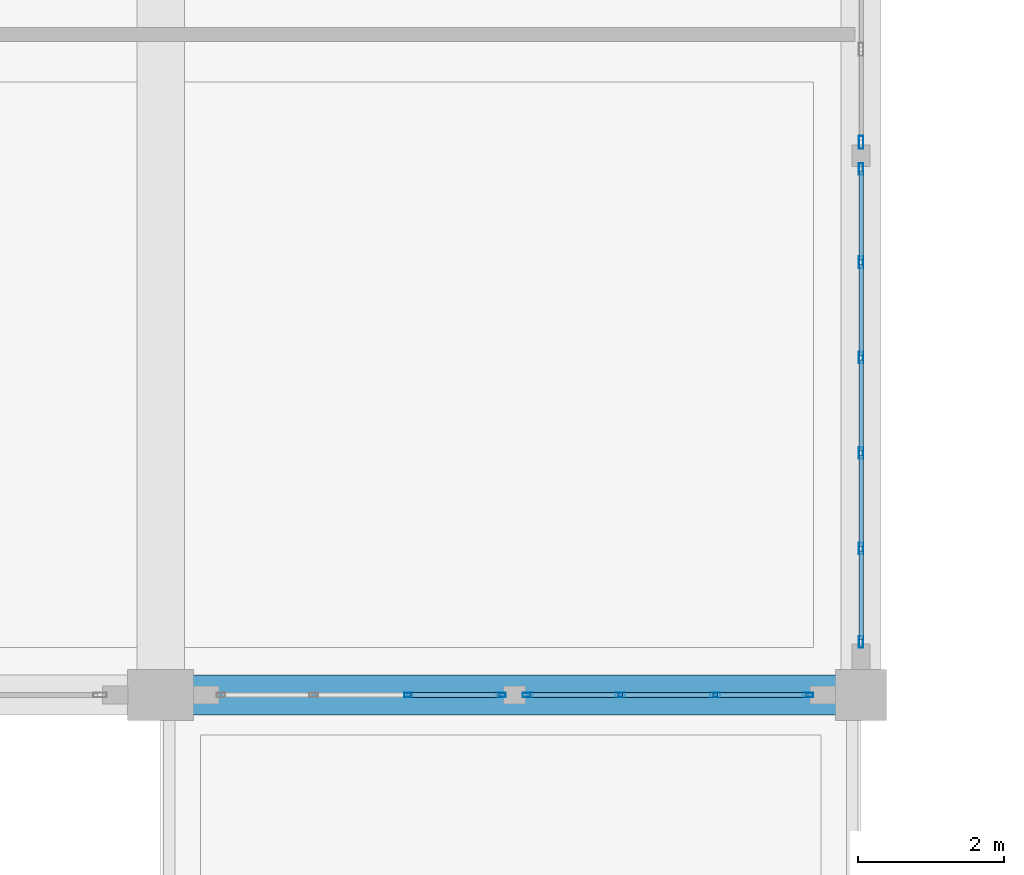
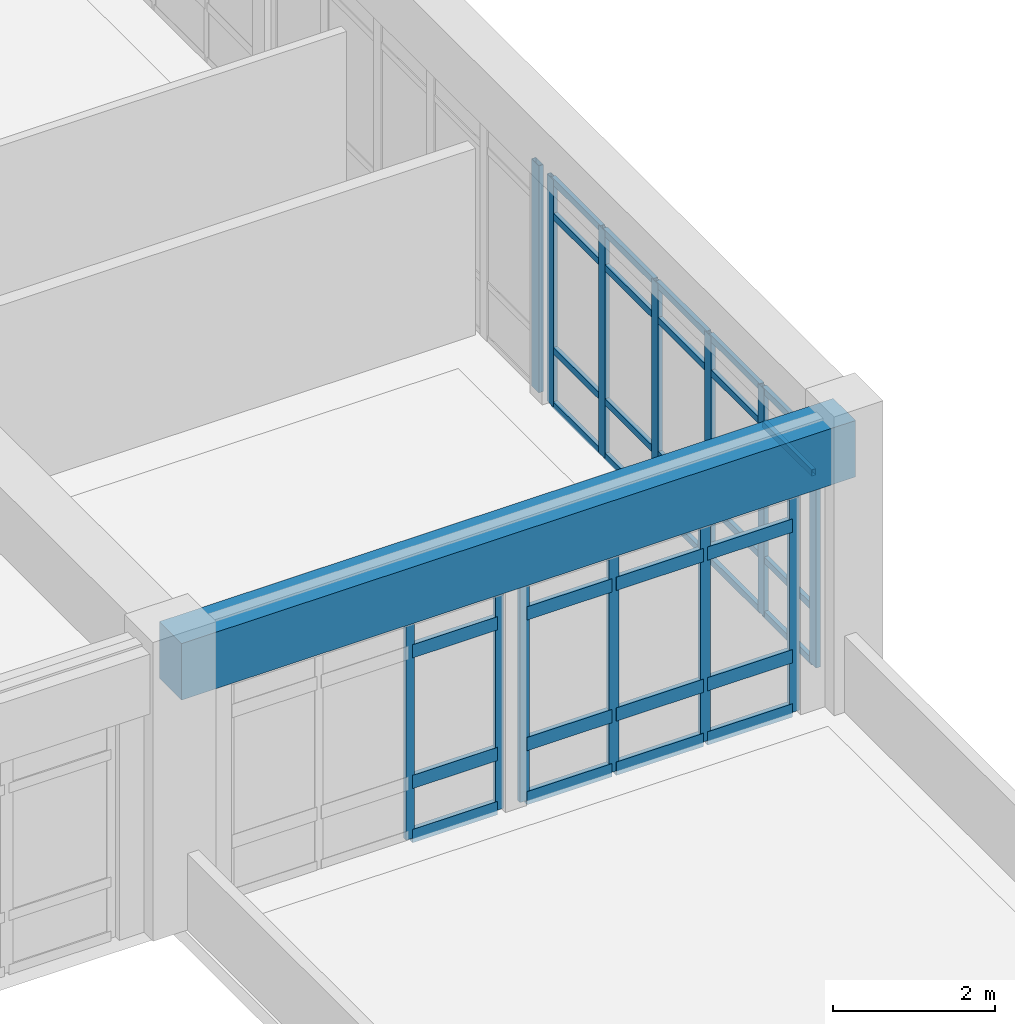
# One storey, part 64 of 109: 49 members, 1 beam, 4 elements without a shape of their own.
"""IFC4 building model written with IfcOpenShell, lengths in metres."""

from ifc_helpers import new_model, si_unit, direction, frame, origin, origin_2d, place, context, subcontext, project, spatial, rectangle, hollow_rectangle, extrude, material, layer, layer_set, material_profile, profile_set, type_object, element, aggregate, save


model = new_model("IFC4")

# Units and contexts
model_context = context("Model", 3, precision=1e-05, world=origin(), true_north=direction((0.0, 1.0)))
body_context = subcontext(model_context, "Body", "Model", "MODEL_VIEW")
ifc_project = project(units=[si_unit("LENGTHUNIT", "METRE"), si_unit("AREAUNIT", "SQUARE_METRE"), si_unit("VOLUMEUNIT", "CUBIC_METRE"), si_unit("PLANEANGLEUNIT", "RADIAN"), si_unit("MASSUNIT", "GRAM", prefix="KILO")], contexts=[model_context])

# Site, building, storey
site_placement = place(None, origin())
site = spatial("IfcSite", under=ifc_project, at=site_placement, CompositionType="ELEMENT")
building_placement = place(site_placement, origin())
building = spatial("IfcBuilding", under=site, at=building_placement, Name="Fikremerkos Civic Library", CompositionType="ELEMENT")
storey_placement = place(building_placement, frame((0.0, 0.0, 5.39990234375)))
storey = spatial("IfcBuildingStorey", under=building, at=storey_placement, Name="L01", CompositionType="ELEMENT", Elevation=5.39990234375)

# Curtain wall, member
ifc_material_1 = material(Name="Anodized aluminium Frame", Category="aluminium")
ifc_layer_1 = layer(ifc_material_1, 0.159912109375, Name="Anodized aluminium Frame")
ifc_layer_set_1 = layer_set([ifc_layer_1], Name="Anodized aluminium Frame")
curtain_wall_type_1 = type_object("IfcCurtainWallType", Name="Unitised curtain wall CW-05 3800x4100", PredefinedType="USERDEFINED", material=ifc_layer_set_1)
curtain_wall_1_placement = place(storey_placement, origin())
curtain_wall_1 = element("IfcCurtainWall", 1, at=curtain_wall_1_placement, inside=storey, type_object=curtain_wall_type_1, Name="Unitised curtain wall CW-05 L01 #113", ObjectType="UNITISED CURTAIN WALL", PredefinedType="USERDEFINED")
ifc_material_profile_1 = material_profile(ifc_material_1, hollow_rectangle(XDim=0.06494140625, YDim=0.179931640625, WallThickness=0.00439453125, at=origin_2d()), Name="ALU 180x65x4.5")
ifc_profile_set_1 = profile_set([ifc_material_profile_1], Name="Anodized aluminium Frame")
member_type_1 = type_object("IfcMemberType", Name="Curtain mullion CWM-01 ALU 180x65x4.5", PredefinedType="MULLION", material=ifc_profile_set_1)
member_1_placement = place(storey_placement, frame((134.39990234375, 103.573486328125, 0.0), z_axis=(0.0, 0.0, 1.0), x_axis=(1.0, 0.0, 0.0)))
member_1 = element("IfcMember", 2, at=member_1_placement, type_object=member_type_1, Name="CW-05 mullion 6", PredefinedType="MULLION", context=body_context, shape_type="SweptSolid", body=[
    extrude(hollow_rectangle(XDim=0.06494140625, YDim=0.179931640625, WallThickness=0.00439453125, at=origin_2d()), origin(), (0.0, 0.0, 1.0), 3.420166015625),
])
aggregate(curtain_wall_1, [member_1])

# Curtain wall, members
ifc_layer_2 = layer(ifc_material_1, 0.159912109375, Name="Anodized aluminium Frame")
ifc_layer_set_2 = layer_set([ifc_layer_2], Name="Anodized aluminium Frame")
curtain_wall_type_2 = type_object("IfcCurtainWallType", Name="Unitised curtain wall CW-06 4200x4100", PredefinedType="USERDEFINED", material=ifc_layer_set_2)
curtain_wall_2_placement = place(storey_placement, origin())
curtain_wall_2 = element("IfcCurtainWall", 3, at=curtain_wall_2_placement, inside=storey, type_object=curtain_wall_type_2, Name="Unitised curtain wall CW-06 L01 #114", ObjectType="UNITISED CURTAIN WALL", PredefinedType="USERDEFINED")
ifc_material_profile_2 = material_profile(ifc_material_1, hollow_rectangle(XDim=0.06005859375, YDim=0.159912109375, WallThickness=0.00390625, at=origin_2d()), Name="ALU 160x60x4")
ifc_profile_set_2 = profile_set([ifc_material_profile_2], Name="Anodized aluminium Frame")
member_type_2 = type_object("IfcMemberType", Name="Curtain mullion CWM-02 ALU 160x60x4", PredefinedType="MULLION", material=ifc_profile_set_2)
member_2_placement = place(storey_placement, frame((134.39990234375, 103.2109375, 0.0), z_axis=(0.0, 0.0, 1.0), x_axis=(1.0, 0.0, 0.0)))
member_2 = element("IfcMember", 4, at=member_2_placement, type_object=member_type_2, Name="CW-06 mullion 1", PredefinedType="MULLION", context=body_context, shape_type="SweptSolid", body=[
    extrude(hollow_rectangle(XDim=0.06005859375, YDim=0.159912109375, WallThickness=0.00390625, at=origin_2d()), origin(), (0.0, 0.0, 1.0), 3.420166015625),
])
member_3_placement = place(storey_placement, frame((134.39990234375, 101.932373046875, 0.0), z_axis=(0.0, 0.0, 1.0), x_axis=(1.0, 0.0, 0.0)))
member_3 = element("IfcMember", 5, at=member_3_placement, type_object=member_type_2, Name="CW-06 mullion 2", PredefinedType="MULLION", context=body_context, shape_type="SweptSolid", body=[
    extrude(hollow_rectangle(XDim=0.06005859375, YDim=0.159912109375, WallThickness=0.00390625, at=origin_2d()), origin(), (0.0, 0.0, 1.0), 3.420166015625),
])
member_4_placement = place(storey_placement, frame((134.39990234375, 100.623779296875, 0.0), z_axis=(0.0, 0.0, 1.0), x_axis=(1.0, 0.0, 0.0)))
member_4 = element("IfcMember", 6, at=member_4_placement, type_object=member_type_2, Name="CW-06 mullion 3", PredefinedType="MULLION", context=body_context, shape_type="SweptSolid", body=[
    extrude(hollow_rectangle(XDim=0.06005859375, YDim=0.159912109375, WallThickness=0.00390625, at=origin_2d()), origin(), (0.0, 0.0, 1.0), 3.420166015625),
])
member_5_placement = place(storey_placement, frame((134.39990234375, 99.315185546875, 0.0), z_axis=(0.0, 0.0, 1.0), x_axis=(1.0, 0.0, 0.0)))
member_5 = element("IfcMember", 7, at=member_5_placement, type_object=member_type_2, Name="CW-06 mullion 4", PredefinedType="MULLION", context=body_context, shape_type="SweptSolid", body=[
    extrude(hollow_rectangle(XDim=0.06005859375, YDim=0.159912109375, WallThickness=0.00390625, at=origin_2d()), origin(), (0.0, 0.0, 1.0), 3.420166015625),
])
member_6_placement = place(storey_placement, frame((134.39990234375, 98.006591796875, 0.0), z_axis=(0.0, 0.0, 1.0), x_axis=(1.0, 0.0, 0.0)))
member_6 = element("IfcMember", 8, at=member_6_placement, type_object=member_type_2, Name="CW-06 mullion 5", PredefinedType="MULLION", context=body_context, shape_type="SweptSolid", body=[
    extrude(hollow_rectangle(XDim=0.06005859375, YDim=0.159912109375, WallThickness=0.00390625, at=origin_2d()), origin(), (0.0, 0.0, 1.0), 3.420166015625),
])
member_7_placement = place(storey_placement, frame((134.39990234375, 96.72802734375, 0.0), z_axis=(0.0, 0.0, 1.0), x_axis=(1.0, 0.0, 0.0)))
member_7 = element("IfcMember", 9, at=member_7_placement, type_object=member_type_2, Name="CW-06 mullion 6", PredefinedType="MULLION", context=body_context, shape_type="SweptSolid", body=[
    extrude(hollow_rectangle(XDim=0.06005859375, YDim=0.159912109375, WallThickness=0.00390625, at=origin_2d()), origin(), (0.0, 0.0, 1.0), 3.420166015625),
])

ifc_layer_3 = layer(ifc_material_1, 0.159912109375, Name="Anodized aluminium Frame")
ifc_layer_set_3 = layer_set([ifc_layer_3], Name="Anodized aluminium Frame")
curtain_wall_type_3 = type_object("IfcCurtainWallType", Name="Unitised curtain wall CW-07 3500x4100", PredefinedType="USERDEFINED", material=ifc_layer_set_3)
curtain_wall_3_placement = place(storey_placement, origin())
curtain_wall_3 = element("IfcCurtainWall", 10, at=curtain_wall_3_placement, inside=storey, type_object=curtain_wall_type_3, Name="Unitised curtain wall CW-07 L01 #115", ObjectType="UNITISED CURTAIN WALL", PredefinedType="USERDEFINED")
ifc_material_profile_3 = material_profile(ifc_material_1, hollow_rectangle(XDim=0.06005859375, YDim=0.139892578125, WallThickness=0.00390625, at=origin_2d()), Name="ALU 140x60x4")
ifc_profile_set_3 = profile_set([ifc_material_profile_3], Name="Anodized aluminium Frame")
member_type_3 = type_object("IfcMemberType", Name="Curtain mullion CWM-03 ALU 140x60x4", PredefinedType="MULLION", material=ifc_profile_set_3)
member_8_placement = place(storey_placement, frame((133.672119140625, 96.0, 0.0), z_axis=(0.0, 0.0, 1.0), x_axis=(0.0, -1.0, 0.0)))
member_8 = element("IfcMember", 11, at=member_8_placement, type_object=member_type_3, Name="CW-07 mullion 1", PredefinedType="MULLION", context=body_context, shape_type="SweptSolid", body=[
    extrude(hollow_rectangle(XDim=0.06005859375, YDim=0.139892578125, WallThickness=0.00390625, at=origin_2d()), origin(), (0.0, 0.0, 1.0), 3.3671875),
])
member_9_placement = place(storey_placement, frame((132.4013671875, 96.0, 0.0), z_axis=(0.0, 0.0, 1.0), x_axis=(0.0, -1.0, 0.0)))
member_9 = element("IfcMember", 12, at=member_9_placement, type_object=member_type_3, Name="CW-07 mullion 2", PredefinedType="MULLION", context=body_context, shape_type="SweptSolid", body=[
    extrude(hollow_rectangle(XDim=0.06005859375, YDim=0.139892578125, WallThickness=0.00390625, at=origin_2d()), origin(), (0.0, 0.0, 1.0), 3.3671875),
])
member_10_placement = place(storey_placement, frame((131.1005859375, 96.0, 0.0), z_axis=(0.0, 0.0, 1.0), x_axis=(0.0, -1.0, 0.0)))
member_10 = element("IfcMember", 13, at=member_10_placement, type_object=member_type_3, Name="CW-07 mullion 3", PredefinedType="MULLION", context=body_context, shape_type="SweptSolid", body=[
    extrude(hollow_rectangle(XDim=0.06005859375, YDim=0.139892578125, WallThickness=0.00390625, at=origin_2d()), origin(), (0.0, 0.0, 1.0), 3.3671875),
])
member_11_placement = place(storey_placement, frame((129.830078125, 96.0, 0.0), z_axis=(0.0, 0.0, 1.0), x_axis=(0.0, -1.0, 0.0)))
member_11 = element("IfcMember", 14, at=member_11_placement, type_object=member_type_3, Name="CW-07 mullion 4", PredefinedType="MULLION", context=body_context, shape_type="SweptSolid", body=[
    extrude(hollow_rectangle(XDim=0.06005859375, YDim=0.139892578125, WallThickness=0.00390625, at=origin_2d()), origin(), (0.0, 0.0, 1.0), 3.3671875),
])

ifc_layer_4 = layer(ifc_material_1, 0.159912109375, Name="Anodized aluminium Frame")
ifc_layer_set_4 = layer_set([ifc_layer_4], Name="Anodized aluminium Frame")
curtain_wall_type_4 = type_object("IfcCurtainWallType", Name="Unitised curtain wall CW-08 4500x4100", PredefinedType="USERDEFINED", material=ifc_layer_set_4)
curtain_wall_4_placement = place(storey_placement, origin())
curtain_wall_4 = element("IfcCurtainWall", 15, at=curtain_wall_4_placement, inside=storey, type_object=curtain_wall_type_4, Name="Unitised curtain wall CW-08 L01 #116", ObjectType="UNITISED CURTAIN WALL", PredefinedType="USERDEFINED")
ifc_material_profile_4 = material_profile(ifc_material_1, hollow_rectangle(XDim=0.06005859375, YDim=0.1201171875, WallThickness=0.00390625, at=origin_2d()), Name="ALU 120x60x4")
ifc_profile_set_4 = profile_set([ifc_material_profile_4], Name="Anodized aluminium Frame")
member_type_4 = type_object("IfcMemberType", Name="Curtain mullion CWM-04 ALU 120x60x4", PredefinedType="MULLION", material=ifc_profile_set_4)
member_12_placement = place(storey_placement, frame((129.469970703125, 96.0, 0.0), z_axis=(0.0, 0.0, 1.0), x_axis=(0.0, -1.0, 0.0)))
member_12 = element("IfcMember", 16, at=member_12_placement, type_object=member_type_4, Name="CW-08 mullion 1", PredefinedType="MULLION", context=body_context, shape_type="SweptSolid", body=[
    extrude(hollow_rectangle(XDim=0.06005859375, YDim=0.1201171875, WallThickness=0.00390625, at=origin_2d()), origin(), (0.0, 0.0, 1.0), 3.3671875),
])
member_13_placement = place(storey_placement, frame((128.19921875, 96.0, 0.0), z_axis=(0.0, 0.0, 1.0), x_axis=(0.0, -1.0, 0.0)))
member_13 = element("IfcMember", 17, at=member_13_placement, type_object=member_type_4, Name="CW-08 mullion 2", PredefinedType="MULLION", context=body_context, shape_type="SweptSolid", body=[
    extrude(hollow_rectangle(XDim=0.06005859375, YDim=0.1201171875, WallThickness=0.00390625, at=origin_2d()), origin(), (0.0, 0.0, 1.0), 3.3671875),
])

# Member
ifc_material_profile_5 = material_profile(ifc_material_1, hollow_rectangle(XDim=0.06005859375, YDim=0.10009765625, WallThickness=0.00390625, at=origin_2d()), Name="ALU 100x60x4")
ifc_profile_set_5 = profile_set([ifc_material_profile_5], Name="Anodized aluminium Frame")
member_type_5 = type_object("IfcMemberType", Name="Curtain transom CWT-03 ALU 100x60x4", PredefinedType="USERDEFINED", material=ifc_profile_set_5)
member_14_placement = place(storey_placement, frame((134.39990234375, 103.180908203125, 0.030029296875), z_axis=(0.0, -1.0, 0.0), x_axis=(1.0, 0.0, 0.0)))
member_14 = element("IfcMember", 18, at=member_14_placement, type_object=member_type_5, Name="CW-06 transom 1.1", ObjectType="TRANSOM", PredefinedType="USERDEFINED", context=body_context, shape_type="SweptSolid", body=[
    extrude(hollow_rectangle(XDim=0.06005859375, YDim=0.10009765625, WallThickness=0.00390625, at=origin_2d()), origin(), (0.0, 0.0, 1.0), 1.218505859375),
])

member_15_placement = place(storey_placement, frame((134.39990234375, 103.180908203125, 0.85009765625), z_axis=(0.0, -1.0, 0.0), x_axis=(1.0, 0.0, 0.0)))
member_15 = element("IfcMember", 19, at=member_15_placement, type_object=member_type_5, Name="CW-06 transom 1.2", ObjectType="TRANSOM", PredefinedType="USERDEFINED", context=body_context, shape_type="SweptSolid", body=[
    extrude(hollow_rectangle(XDim=0.06005859375, YDim=0.10009765625, WallThickness=0.00390625, at=origin_2d()), origin(), (0.0, 0.0, 1.0), 1.218505859375),
])

member_16_placement = place(storey_placement, frame((134.39990234375, 103.180908203125, 2.8701171875), z_axis=(0.0, -1.0, 0.0), x_axis=(1.0, 0.0, 0.0)))
member_16 = element("IfcMember", 20, at=member_16_placement, type_object=member_type_5, Name="CW-06 transom 1.3", ObjectType="TRANSOM", PredefinedType="USERDEFINED", context=body_context, shape_type="SweptSolid", body=[
    extrude(hollow_rectangle(XDim=0.06005859375, YDim=0.10009765625, WallThickness=0.00390625, at=origin_2d()), origin(), (0.0, 0.0, 1.0), 1.218505859375),
])

member_17_placement = place(storey_placement, frame((134.39990234375, 103.180908203125, 3.39013671875), z_axis=(0.0, -1.0, 0.0), x_axis=(1.0, 0.0, 0.0)))
member_17 = element("IfcMember", 21, at=member_17_placement, type_object=member_type_5, Name="CW-06 transom 1.4", ObjectType="TRANSOM", PredefinedType="USERDEFINED", context=body_context, shape_type="SweptSolid", body=[
    extrude(hollow_rectangle(XDim=0.06005859375, YDim=0.10009765625, WallThickness=0.00390625, at=origin_2d()), origin(), (0.0, 0.0, 1.0), 1.218505859375),
])

member_18_placement = place(storey_placement, frame((134.39990234375, 101.90234375, 0.030029296875), z_axis=(0.0, -1.0, 0.0), x_axis=(1.0, 0.0, 0.0)))
member_18 = element("IfcMember", 22, at=member_18_placement, type_object=member_type_5, Name="CW-06 transom 2.1", ObjectType="TRANSOM", PredefinedType="USERDEFINED", context=body_context, shape_type="SweptSolid", body=[
    extrude(hollow_rectangle(XDim=0.06005859375, YDim=0.10009765625, WallThickness=0.00390625, at=origin_2d()), origin(), (0.0, 0.0, 1.0), 1.24853515625),
])

member_19_placement = place(storey_placement, frame((134.39990234375, 101.90234375, 0.85009765625), z_axis=(0.0, -1.0, 0.0), x_axis=(1.0, 0.0, 0.0)))
member_19 = element("IfcMember", 23, at=member_19_placement, type_object=member_type_5, Name="CW-06 transom 2.2", ObjectType="TRANSOM", PredefinedType="USERDEFINED", context=body_context, shape_type="SweptSolid", body=[
    extrude(hollow_rectangle(XDim=0.06005859375, YDim=0.10009765625, WallThickness=0.00390625, at=origin_2d()), origin(), (0.0, 0.0, 1.0), 1.24853515625),
])

member_20_placement = place(storey_placement, frame((134.39990234375, 101.90234375, 2.8701171875), z_axis=(0.0, -1.0, 0.0), x_axis=(1.0, 0.0, 0.0)))
member_20 = element("IfcMember", 24, at=member_20_placement, type_object=member_type_5, Name="CW-06 transom 2.3", ObjectType="TRANSOM", PredefinedType="USERDEFINED", context=body_context, shape_type="SweptSolid", body=[
    extrude(hollow_rectangle(XDim=0.06005859375, YDim=0.10009765625, WallThickness=0.00390625, at=origin_2d()), origin(), (0.0, 0.0, 1.0), 1.24853515625),
])

member_21_placement = place(storey_placement, frame((134.39990234375, 101.90234375, 3.39013671875), z_axis=(0.0, -1.0, 0.0), x_axis=(1.0, 0.0, 0.0)))
member_21 = element("IfcMember", 25, at=member_21_placement, type_object=member_type_5, Name="CW-06 transom 2.4", ObjectType="TRANSOM", PredefinedType="USERDEFINED", context=body_context, shape_type="SweptSolid", body=[
    extrude(hollow_rectangle(XDim=0.06005859375, YDim=0.10009765625, WallThickness=0.00390625, at=origin_2d()), origin(), (0.0, 0.0, 1.0), 1.24853515625),
])

member_22_placement = place(storey_placement, frame((134.39990234375, 100.59375, 0.030029296875), z_axis=(0.0, -1.0, 0.0), x_axis=(1.0, 0.0, 0.0)))
member_22 = element("IfcMember", 26, at=member_22_placement, type_object=member_type_5, Name="CW-06 transom 3.1", ObjectType="TRANSOM", PredefinedType="USERDEFINED", context=body_context, shape_type="SweptSolid", body=[
    extrude(hollow_rectangle(XDim=0.06005859375, YDim=0.10009765625, WallThickness=0.00390625, at=origin_2d()), origin(), (0.0, 0.0, 1.0), 1.24853515625),
])

member_23_placement = place(storey_placement, frame((134.39990234375, 100.59375, 0.85009765625), z_axis=(0.0, -1.0, 0.0), x_axis=(1.0, 0.0, 0.0)))
member_23 = element("IfcMember", 27, at=member_23_placement, type_object=member_type_5, Name="CW-06 transom 3.2", ObjectType="TRANSOM", PredefinedType="USERDEFINED", context=body_context, shape_type="SweptSolid", body=[
    extrude(hollow_rectangle(XDim=0.06005859375, YDim=0.10009765625, WallThickness=0.00390625, at=origin_2d()), origin(), (0.0, 0.0, 1.0), 1.24853515625),
])

member_24_placement = place(storey_placement, frame((134.39990234375, 100.59375, 2.8701171875), z_axis=(0.0, -1.0, 0.0), x_axis=(1.0, 0.0, 0.0)))
member_24 = element("IfcMember", 28, at=member_24_placement, type_object=member_type_5, Name="CW-06 transom 3.3", ObjectType="TRANSOM", PredefinedType="USERDEFINED", context=body_context, shape_type="SweptSolid", body=[
    extrude(hollow_rectangle(XDim=0.06005859375, YDim=0.10009765625, WallThickness=0.00390625, at=origin_2d()), origin(), (0.0, 0.0, 1.0), 1.24853515625),
])

member_25_placement = place(storey_placement, frame((134.39990234375, 100.59375, 3.39013671875), z_axis=(0.0, -1.0, 0.0), x_axis=(1.0, 0.0, 0.0)))
member_25 = element("IfcMember", 29, at=member_25_placement, type_object=member_type_5, Name="CW-06 transom 3.4", ObjectType="TRANSOM", PredefinedType="USERDEFINED", context=body_context, shape_type="SweptSolid", body=[
    extrude(hollow_rectangle(XDim=0.06005859375, YDim=0.10009765625, WallThickness=0.00390625, at=origin_2d()), origin(), (0.0, 0.0, 1.0), 1.24853515625),
])

member_26_placement = place(storey_placement, frame((134.39990234375, 99.28515625, 0.030029296875), z_axis=(0.0, -1.0, 0.0), x_axis=(1.0, 0.0, 0.0)))
member_26 = element("IfcMember", 30, at=member_26_placement, type_object=member_type_5, Name="CW-06 transom 4.1", ObjectType="TRANSOM", PredefinedType="USERDEFINED", context=body_context, shape_type="SweptSolid", body=[
    extrude(hollow_rectangle(XDim=0.06005859375, YDim=0.10009765625, WallThickness=0.00390625, at=origin_2d()), origin(), (0.0, 0.0, 1.0), 1.24853515625),
])

member_27_placement = place(storey_placement, frame((134.39990234375, 99.28515625, 0.85009765625), z_axis=(0.0, -1.0, 0.0), x_axis=(1.0, 0.0, 0.0)))
member_27 = element("IfcMember", 31, at=member_27_placement, type_object=member_type_5, Name="CW-06 transom 4.2", ObjectType="TRANSOM", PredefinedType="USERDEFINED", context=body_context, shape_type="SweptSolid", body=[
    extrude(hollow_rectangle(XDim=0.06005859375, YDim=0.10009765625, WallThickness=0.00390625, at=origin_2d()), origin(), (0.0, 0.0, 1.0), 1.24853515625),
])

member_28_placement = place(storey_placement, frame((134.39990234375, 99.28515625, 2.8701171875), z_axis=(0.0, -1.0, 0.0), x_axis=(1.0, 0.0, 0.0)))
member_28 = element("IfcMember", 32, at=member_28_placement, type_object=member_type_5, Name="CW-06 transom 4.3", ObjectType="TRANSOM", PredefinedType="USERDEFINED", context=body_context, shape_type="SweptSolid", body=[
    extrude(hollow_rectangle(XDim=0.06005859375, YDim=0.10009765625, WallThickness=0.00390625, at=origin_2d()), origin(), (0.0, 0.0, 1.0), 1.24853515625),
])

member_29_placement = place(storey_placement, frame((134.39990234375, 99.28515625, 3.39013671875), z_axis=(0.0, -1.0, 0.0), x_axis=(1.0, 0.0, 0.0)))
member_29 = element("IfcMember", 33, at=member_29_placement, type_object=member_type_5, Name="CW-06 transom 4.4", ObjectType="TRANSOM", PredefinedType="USERDEFINED", context=body_context, shape_type="SweptSolid", body=[
    extrude(hollow_rectangle(XDim=0.06005859375, YDim=0.10009765625, WallThickness=0.00390625, at=origin_2d()), origin(), (0.0, 0.0, 1.0), 1.24853515625),
])

member_30_placement = place(storey_placement, frame((134.39990234375, 97.9765625, 0.030029296875), z_axis=(0.0, -1.0, 0.0), x_axis=(1.0, 0.0, 0.0)))
member_30 = element("IfcMember", 34, at=member_30_placement, type_object=member_type_5, Name="CW-06 transom 5.1", ObjectType="TRANSOM", PredefinedType="USERDEFINED", context=body_context, shape_type="SweptSolid", body=[
    extrude(hollow_rectangle(XDim=0.06005859375, YDim=0.10009765625, WallThickness=0.00390625, at=origin_2d()), origin(), (0.0, 0.0, 1.0), 1.218505859375),
])

member_31_placement = place(storey_placement, frame((134.39990234375, 97.9765625, 0.85009765625), z_axis=(0.0, -1.0, 0.0), x_axis=(1.0, 0.0, 0.0)))
member_31 = element("IfcMember", 35, at=member_31_placement, type_object=member_type_5, Name="CW-06 transom 5.2", ObjectType="TRANSOM", PredefinedType="USERDEFINED", context=body_context, shape_type="SweptSolid", body=[
    extrude(hollow_rectangle(XDim=0.06005859375, YDim=0.10009765625, WallThickness=0.00390625, at=origin_2d()), origin(), (0.0, 0.0, 1.0), 1.218505859375),
])

member_32_placement = place(storey_placement, frame((134.39990234375, 97.9765625, 2.8701171875), z_axis=(0.0, -1.0, 0.0), x_axis=(1.0, 0.0, 0.0)))
member_32 = element("IfcMember", 36, at=member_32_placement, type_object=member_type_5, Name="CW-06 transom 5.3", ObjectType="TRANSOM", PredefinedType="USERDEFINED", context=body_context, shape_type="SweptSolid", body=[
    extrude(hollow_rectangle(XDim=0.06005859375, YDim=0.10009765625, WallThickness=0.00390625, at=origin_2d()), origin(), (0.0, 0.0, 1.0), 1.218505859375),
])

member_33_placement = place(storey_placement, frame((134.39990234375, 97.9765625, 3.39013671875), z_axis=(0.0, -1.0, 0.0), x_axis=(1.0, 0.0, 0.0)))
member_33 = element("IfcMember", 37, at=member_33_placement, type_object=member_type_5, Name="CW-06 transom 5.4", ObjectType="TRANSOM", PredefinedType="USERDEFINED", context=body_context, shape_type="SweptSolid", body=[
    extrude(hollow_rectangle(XDim=0.06005859375, YDim=0.10009765625, WallThickness=0.00390625, at=origin_2d()), origin(), (0.0, 0.0, 1.0), 1.218505859375),
])

aggregate(curtain_wall_2, [member_2, member_3, member_4, member_5, member_6, member_7, member_14, member_15, member_16, member_17, member_18, member_19, member_20, member_21, member_22, member_23, member_24, member_25, member_26, member_27, member_28, member_29, member_30, member_31, member_32, member_33])

ifc_material_profile_6 = material_profile(ifc_material_1, hollow_rectangle(XDim=0.070068359375, YDim=0.199951171875, WallThickness=0.0048828125, at=origin_2d()), Name="ALU 200x70x5")
ifc_profile_set_6 = profile_set([ifc_material_profile_6], Name="Anodized aluminium Frame")
member_type_6 = type_object("IfcMemberType", Name="Curtain transom CWT-04 ALU 200x70x5", PredefinedType="USERDEFINED", material=ifc_profile_set_6)
member_34_placement = place(storey_placement, frame((133.64208984375, 96.0, 0.03515625), z_axis=(-1.0, 0.0, 0.0), x_axis=(0.0, -1.0, 0.0)))
member_34 = element("IfcMember", 38, at=member_34_placement, type_object=member_type_6, Name="CW-07 transom 1.1", ObjectType="TRANSOM", PredefinedType="USERDEFINED", context=body_context, shape_type="SweptSolid", body=[
    extrude(hollow_rectangle(XDim=0.070068359375, YDim=0.199951171875, WallThickness=0.0048828125, at=origin_2d()), origin(), (0.0, 0.0, 1.0), 1.210693359375),
])

member_35_placement = place(storey_placement, frame((133.64208984375, 96.0, 0.85009765625), z_axis=(-1.0, 0.0, 0.0), x_axis=(0.0, -1.0, 0.0)))
member_35 = element("IfcMember", 39, at=member_35_placement, type_object=member_type_6, Name="CW-07 transom 1.2", ObjectType="TRANSOM", PredefinedType="USERDEFINED", context=body_context, shape_type="SweptSolid", body=[
    extrude(hollow_rectangle(XDim=0.070068359375, YDim=0.199951171875, WallThickness=0.0048828125, at=origin_2d()), origin(), (0.0, 0.0, 1.0), 1.210693359375),
])

member_36_placement = place(storey_placement, frame((133.64208984375, 96.0, 2.8173828125), z_axis=(-1.0, 0.0, 0.0), x_axis=(0.0, -1.0, 0.0)))
member_36 = element("IfcMember", 40, at=member_36_placement, type_object=member_type_6, Name="CW-07 transom 1.3", ObjectType="TRANSOM", PredefinedType="USERDEFINED", context=body_context, shape_type="SweptSolid", body=[
    extrude(hollow_rectangle(XDim=0.070068359375, YDim=0.199951171875, WallThickness=0.0048828125, at=origin_2d()), origin(), (0.0, 0.0, 1.0), 1.210693359375),
])

member_37_placement = place(storey_placement, frame((133.64208984375, 96.0, 3.332275390625), z_axis=(-1.0, 0.0, 0.0), x_axis=(0.0, -1.0, 0.0)))
member_37 = element("IfcMember", 41, at=member_37_placement, type_object=member_type_6, Name="CW-07 transom 1.4", ObjectType="TRANSOM", PredefinedType="USERDEFINED", context=body_context, shape_type="SweptSolid", body=[
    extrude(hollow_rectangle(XDim=0.070068359375, YDim=0.199951171875, WallThickness=0.0048828125, at=origin_2d()), origin(), (0.0, 0.0, 1.0), 1.210693359375),
])

member_38_placement = place(storey_placement, frame((132.371337890625, 96.0, 0.03515625), z_axis=(-1.0, 0.0, 0.0), x_axis=(0.0, -1.0, 0.0)))
member_38 = element("IfcMember", 42, at=member_38_placement, type_object=member_type_6, Name="CW-07 transom 2.1", ObjectType="TRANSOM", PredefinedType="USERDEFINED", context=body_context, shape_type="SweptSolid", body=[
    extrude(hollow_rectangle(XDim=0.070068359375, YDim=0.199951171875, WallThickness=0.0048828125, at=origin_2d()), origin(), (0.0, 0.0, 1.0), 1.24072265625),
])

member_39_placement = place(storey_placement, frame((132.371337890625, 96.0, 0.85009765625), z_axis=(-1.0, 0.0, 0.0), x_axis=(0.0, -1.0, 0.0)))
member_39 = element("IfcMember", 43, at=member_39_placement, type_object=member_type_6, Name="CW-07 transom 2.2", ObjectType="TRANSOM", PredefinedType="USERDEFINED", context=body_context, shape_type="SweptSolid", body=[
    extrude(hollow_rectangle(XDim=0.070068359375, YDim=0.199951171875, WallThickness=0.0048828125, at=origin_2d()), origin(), (0.0, 0.0, 1.0), 1.24072265625),
])

member_40_placement = place(storey_placement, frame((132.371337890625, 96.0, 2.8173828125), z_axis=(-1.0, 0.0, 0.0), x_axis=(0.0, -1.0, 0.0)))
member_40 = element("IfcMember", 44, at=member_40_placement, type_object=member_type_6, Name="CW-07 transom 2.3", ObjectType="TRANSOM", PredefinedType="USERDEFINED", context=body_context, shape_type="SweptSolid", body=[
    extrude(hollow_rectangle(XDim=0.070068359375, YDim=0.199951171875, WallThickness=0.0048828125, at=origin_2d()), origin(), (0.0, 0.0, 1.0), 1.24072265625),
])

member_41_placement = place(storey_placement, frame((132.371337890625, 96.0, 3.332275390625), z_axis=(-1.0, 0.0, 0.0), x_axis=(0.0, -1.0, 0.0)))
member_41 = element("IfcMember", 45, at=member_41_placement, type_object=member_type_6, Name="CW-07 transom 2.4", ObjectType="TRANSOM", PredefinedType="USERDEFINED", context=body_context, shape_type="SweptSolid", body=[
    extrude(hollow_rectangle(XDim=0.070068359375, YDim=0.199951171875, WallThickness=0.0048828125, at=origin_2d()), origin(), (0.0, 0.0, 1.0), 1.24072265625),
])

member_42_placement = place(storey_placement, frame((131.070556640625, 96.0, 0.03515625), z_axis=(-1.0, 0.0, 0.0), x_axis=(0.0, -1.0, 0.0)))
member_42 = element("IfcMember", 46, at=member_42_placement, type_object=member_type_6, Name="CW-07 transom 3.1", ObjectType="TRANSOM", PredefinedType="USERDEFINED", context=body_context, shape_type="SweptSolid", body=[
    extrude(hollow_rectangle(XDim=0.070068359375, YDim=0.199951171875, WallThickness=0.0048828125, at=origin_2d()), origin(), (0.0, 0.0, 1.0), 1.21044921875),
])

member_43_placement = place(storey_placement, frame((131.070556640625, 96.0, 0.85009765625), z_axis=(-1.0, 0.0, 0.0), x_axis=(0.0, -1.0, 0.0)))
member_43 = element("IfcMember", 47, at=member_43_placement, type_object=member_type_6, Name="CW-07 transom 3.2", ObjectType="TRANSOM", PredefinedType="USERDEFINED", context=body_context, shape_type="SweptSolid", body=[
    extrude(hollow_rectangle(XDim=0.070068359375, YDim=0.199951171875, WallThickness=0.0048828125, at=origin_2d()), origin(), (0.0, 0.0, 1.0), 1.21044921875),
])

member_44_placement = place(storey_placement, frame((131.070556640625, 96.0, 2.8173828125), z_axis=(-1.0, 0.0, 0.0), x_axis=(0.0, -1.0, 0.0)))
member_44 = element("IfcMember", 48, at=member_44_placement, type_object=member_type_6, Name="CW-07 transom 3.3", ObjectType="TRANSOM", PredefinedType="USERDEFINED", context=body_context, shape_type="SweptSolid", body=[
    extrude(hollow_rectangle(XDim=0.070068359375, YDim=0.199951171875, WallThickness=0.0048828125, at=origin_2d()), origin(), (0.0, 0.0, 1.0), 1.21044921875),
])

member_45_placement = place(storey_placement, frame((131.070556640625, 96.0, 3.332275390625), z_axis=(-1.0, 0.0, 0.0), x_axis=(0.0, -1.0, 0.0)))
member_45 = element("IfcMember", 49, at=member_45_placement, type_object=member_type_6, Name="CW-07 transom 3.4", ObjectType="TRANSOM", PredefinedType="USERDEFINED", context=body_context, shape_type="SweptSolid", body=[
    extrude(hollow_rectangle(XDim=0.070068359375, YDim=0.199951171875, WallThickness=0.0048828125, at=origin_2d()), origin(), (0.0, 0.0, 1.0), 1.21044921875),
])

aggregate(curtain_wall_3, [member_8, member_9, member_10, member_11, member_34, member_35, member_36, member_37, member_38, member_39, member_40, member_41, member_42, member_43, member_44, member_45])

member_46_placement = place(storey_placement, frame((129.43994140625, 96.0, 0.03515625), z_axis=(-1.0, 0.0, 0.0), x_axis=(0.0, -1.0, 0.0)))
member_46 = element("IfcMember", 50, at=member_46_placement, type_object=member_type_6, Name="CW-08 transom 1.1", ObjectType="TRANSOM", PredefinedType="USERDEFINED", context=body_context, shape_type="SweptSolid", body=[
    extrude(hollow_rectangle(XDim=0.070068359375, YDim=0.199951171875, WallThickness=0.0048828125, at=origin_2d()), origin(), (0.0, 0.0, 1.0), 1.210693359375),
])

member_47_placement = place(storey_placement, frame((129.43994140625, 96.0, 0.85009765625), z_axis=(-1.0, 0.0, 0.0), x_axis=(0.0, -1.0, 0.0)))
member_47 = element("IfcMember", 51, at=member_47_placement, type_object=member_type_6, Name="CW-08 transom 1.2", ObjectType="TRANSOM", PredefinedType="USERDEFINED", context=body_context, shape_type="SweptSolid", body=[
    extrude(hollow_rectangle(XDim=0.070068359375, YDim=0.199951171875, WallThickness=0.0048828125, at=origin_2d()), origin(), (0.0, 0.0, 1.0), 1.210693359375),
])

member_48_placement = place(storey_placement, frame((129.43994140625, 96.0, 2.8173828125), z_axis=(-1.0, 0.0, 0.0), x_axis=(0.0, -1.0, 0.0)))
member_48 = element("IfcMember", 52, at=member_48_placement, type_object=member_type_6, Name="CW-08 transom 1.3", ObjectType="TRANSOM", PredefinedType="USERDEFINED", context=body_context, shape_type="SweptSolid", body=[
    extrude(hollow_rectangle(XDim=0.070068359375, YDim=0.199951171875, WallThickness=0.0048828125, at=origin_2d()), origin(), (0.0, 0.0, 1.0), 1.210693359375),
])

member_49_placement = place(storey_placement, frame((129.43994140625, 96.0, 3.332275390625), z_axis=(-1.0, 0.0, 0.0), x_axis=(0.0, -1.0, 0.0)))
member_49 = element("IfcMember", 53, at=member_49_placement, type_object=member_type_6, Name="CW-08 transom 1.4", ObjectType="TRANSOM", PredefinedType="USERDEFINED", context=body_context, shape_type="SweptSolid", body=[
    extrude(hollow_rectangle(XDim=0.070068359375, YDim=0.199951171875, WallThickness=0.0048828125, at=origin_2d()), origin(), (0.0, 0.0, 1.0), 1.210693359375),
])

aggregate(curtain_wall_4, [member_12, member_13, member_46, member_47, member_48, member_49])

# Beam
ifc_material_2 = material(Name="Concrete C40/50", Category="concrete")
ifc_material_profile_7 = material_profile(ifc_material_2, rectangle(XDim=0.550048828125, YDim=0.85009765625, at=origin_2d()), Name="RC 550x850")
ifc_profile_set_7 = profile_set([ifc_material_profile_7], Name="Concrete C40/50")
beam_type = type_object("IfcBeamType", Name="Primary girder BM-03 RC 550x850", PredefinedType="BEAM", material=ifc_profile_set_7)
beam_placement = place(storey_placement, frame((124.800048828125, 96.0, 3.85498046875), z_axis=(1.0, 0.0, 0.0), x_axis=(0.0, 1.0, 0.0)))
element("IfcBeam", 54, at=beam_placement, inside=storey, type_object=beam_type, Name="Primary girder BM-03 L01 grid M", PredefinedType="BEAM", context=body_context, shape_type="SweptSolid", body=[
    extrude(rectangle(XDim=0.550048828125, YDim=0.85009765625, at=origin_2d()), origin(), (0.0, 0.0, 1.0), 9.599853515625),
])

save(model, "model.ifc")
